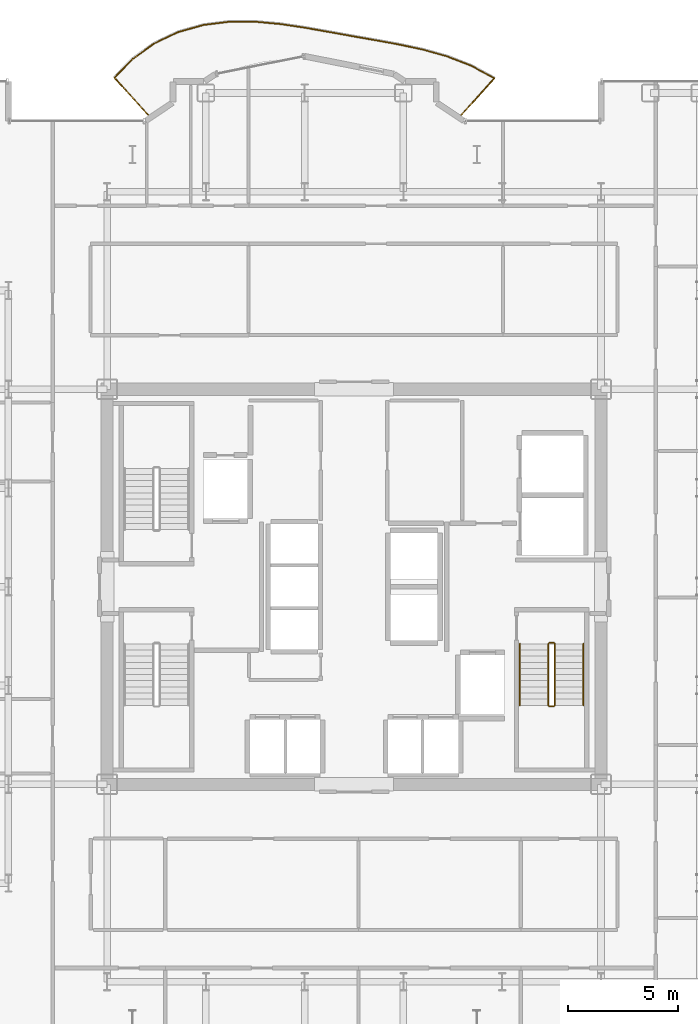
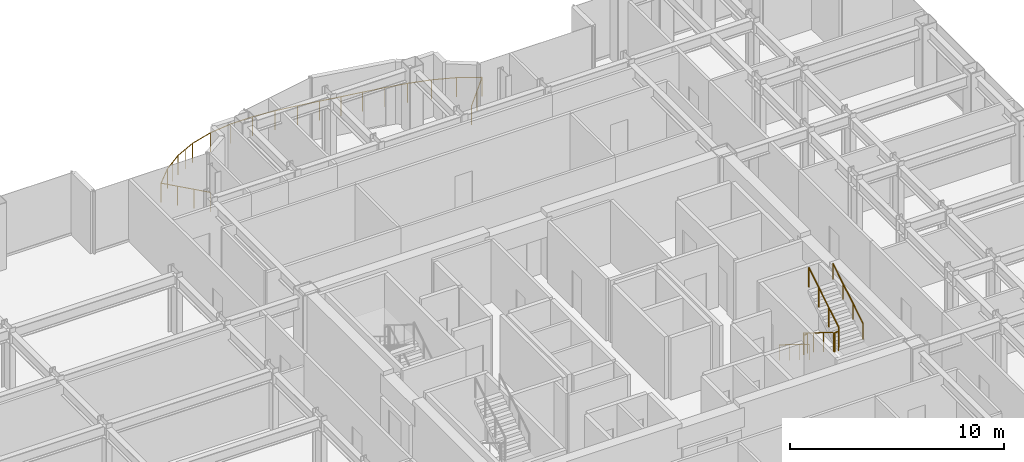
# One storey, part 23 of 23: 7 railings.
"""IFC4 building model written with IfcOpenShell, lengths in metres."""

from ifc_helpers import new_model, si_unit, direction, frame, origin, origin_2d, place, context, subcontext, project, spatial, circle, extrude, material, type_object, element, save


model = new_model("IFC4")

# Units and contexts
model_context = context("Model", 3, precision=1e-05, world=origin(), true_north=direction((0.0, 1.0)))
body_context = subcontext(model_context, "Body", "Model", "MODEL_VIEW")
ifc_project = project(units=[si_unit("LENGTHUNIT", "METRE"), si_unit("AREAUNIT", "SQUARE_METRE"), si_unit("VOLUMEUNIT", "CUBIC_METRE"), si_unit("PLANEANGLEUNIT", "RADIAN"), si_unit("MASSUNIT", "GRAM", prefix="KILO")], contexts=[model_context])

# Site, building, storey
site_placement = place(None, origin())
site = spatial("IfcSite", under=ifc_project, at=site_placement, CompositionType="ELEMENT")
building_placement = place(site_placement, origin())
building = spatial("IfcBuilding", under=site, at=building_placement, Name="Nefas-Gora Pilgrimage Tower", CompositionType="ELEMENT")
storey_placement = place(building_placement, frame((0.0, 0.0, 164.0)))
storey = spatial("IfcBuildingStorey", under=building, at=storey_placement, Name="L40", CompositionType="ELEMENT", Elevation=164.0)

# Railings
ifc_material_1 = material(Name="Laminated safety glass and stainless steel", Category="steel")
railing_type_1 = type_object("IfcRailingType", Name="RLG-BAL-1100", PredefinedType="BALUSTRADE", material=ifc_material_1)
railing_1_placement = place(storey_placement, frame((4.802490234375, 21.402587890625, 0.0)))
element("IfcRailing", 1, at=railing_1_placement, inside=storey, type_object=railing_type_1, Name="L40 Wave Balcony Balustrade N1", PredefinedType="BALUSTRADE", context=body_context, shape_type="SweptSolid", body=[
    extrude(circle(Radius=0.02392578125, at=origin_2d()), frame((0.0, 0.0, 1.09619140625), z_axis=(0.669135077133, 0.74314079995, 0.0), x_axis=(-0.74314079995, 0.669135077133, 0.0)), (0.0, 0.0, 1.0), 2.375244140625),
    extrude(circle(Radius=0.02392578125, at=origin_2d()), frame((1.58935546875, 1.76513671875, 1.09619140625), z_axis=(-0.878083063922, 0.478508236976, 0.0), x_axis=(-0.478508236976, -0.878083063922, 0.0)), (0.0, 0.0, 1.0), 1.19384765625),
    extrude(circle(Radius=0.02392578125, at=origin_2d()), frame((0.541015625, 2.33642578125, 1.09619140625), z_axis=(-0.932264516766, 0.361777377374, 0.0), x_axis=(-0.361777377374, -0.932264516766, 0.0)), (0.0, 0.0, 1.0), 1.18017578125),
    extrude(circle(Radius=0.02392578125, at=origin_2d()), frame((-0.559326171875, 2.763427734375, 1.09619140625), z_axis=(-0.962944291486, 0.269700373552, 0.0), x_axis=(-0.269700373552, -0.962944291486, 0.0)), (0.0, 0.0, 1.0), 1.156982421875),
    extrude(circle(Radius=0.02392578125, at=origin_2d()), frame((-1.67333984375, 3.075439453125, 1.09619140625), z_axis=(-0.978071187114, 0.208270864351, 0.0), x_axis=(-0.208270864351, -0.978071187114, 0.0)), (0.0, 0.0, 1.0), 1.12646484375),
    extrude(circle(Radius=0.02392578125, at=origin_2d()), frame((-2.775146484375, 3.31005859375, 1.09619140625), z_axis=(-0.983987188897, 0.178239199074, 0.0), x_axis=(-0.178239199074, -0.983987188897, 0.0)), (0.0, 0.0, 1.0), 1.09716796875),
    extrude(circle(Radius=0.02392578125, at=origin_2d()), frame((-3.854736328125, 3.505615234375, 1.09619140625), z_axis=(-0.985033351449, 0.172363849265, 0.0), x_axis=(-0.172363849265, -0.985033351449, 0.0)), (0.0, 0.0, 1.0), 1.077880859375),
    extrude(circle(Radius=0.02392578125, at=origin_2d()), frame((-4.91650390625, 3.69140625, 1.09619140625), z_axis=(-0.984191230585, 0.177109067071, 0.0), x_axis=(-0.177109067071, -0.984191230585, 0.0)), (0.0, 0.0, 1.0), 1.07666015625),
    extrude(circle(Radius=0.02392578125, at=origin_2d()), frame((-5.97607421875, 3.882080078125, 1.09619140625), z_axis=(-0.984747561973, 0.173989192737, 0.0), x_axis=(-0.173989192737, -0.984747561973, 0.0)), (0.0, 0.0, 1.0), 1.093017578125),
    extrude(circle(Radius=0.02392578125, at=origin_2d()), frame((-7.052490234375, 4.072265625, 1.09619140625), z_axis=(-0.98891878254, 0.148457541204, 0.0), x_axis=(-0.148457541204, -0.98891878254, 0.0)), (0.0, 0.0, 1.0), 1.12158203125),
    extrude(circle(Radius=0.02392578125, at=origin_2d()), frame((-8.16162109375, 4.23876953125, 1.09619140625), z_axis=(-0.995840939659, 0.091108851926, 0.0), x_axis=(-0.091108851926, -0.995840939659, 0.0)), (0.0, 0.0, 1.0), 1.15234375),
    extrude(circle(Radius=0.02392578125, at=origin_2d()), frame((-9.30908203125, 4.34375, 1.09619140625), z_axis=(-0.999999806466, -0.000622148366, 0.0), x_axis=(0.000622148366, -0.999999806466, 0.0)), (0.0, 0.0, 1.0), 1.17724609375),
    extrude(circle(Radius=0.02392578125, at=origin_2d()), frame((-10.486328125, 4.343017578125, 1.09619140625), z_axis=(-0.992246343829, -0.124286737661, 0.0), x_axis=(0.124286737661, -0.992246343829, 0.0)), (0.0, 0.0, 1.0), 1.1923828125),
    extrude(circle(Radius=0.02392578125, at=origin_2d()), frame((-11.66943359375, 4.19482421875, 1.09619140625), z_axis=(-0.962380056338, -0.271706877282, 0.0), x_axis=(0.271706877282, -0.962380056338, 0.0)), (0.0, 0.0, 1.0), 1.19873046875),
    extrude(circle(Radius=0.02392578125, at=origin_2d()), frame((-12.822998046875, 3.869140625, 1.09619140625), z_axis=(-0.902687538692, -0.430296650568, 0.0), x_axis=(0.430296650568, -0.902687538692, 0.0)), (0.0, 0.0, 1.0), 1.20068359375),
    extrude(circle(Radius=0.02392578125, at=origin_2d()), frame((-13.90673828125, 3.3525390625, 1.09619140625), z_axis=(-0.812274321028, -0.58327560158, 0.0), x_axis=(0.58327560158, -0.812274321028, 0.0)), (0.0, 0.0, 1.0), 1.200439453125),
    extrude(circle(Radius=0.02392578125, at=origin_2d()), frame((-14.8818359375, 2.65234375, 1.09619140625), z_axis=(-0.699126878219, -0.714997628074, 0.0), x_axis=(0.714997628074, -0.699126878219, 0.0)), (0.0, 0.0, 1.0), 1.199951171875),
    extrude(circle(Radius=0.02392578125, at=origin_2d()), frame((-15.720703125, 1.79443359375, 1.09619140625), z_axis=(0.669132296829, -0.743143303368, 0.0), x_axis=(0.743143303368, 0.669132296829, 0.0)), (0.0, 0.0, 1.0), 2.41455078125),
    extrude(circle(Radius=0.02099609375, at=origin_2d()), origin(), (0.0, 0.0, 1.0), 1.072021484375),
    extrude(circle(Radius=0.02099609375, at=origin_2d()), frame((0.794677734375, 0.882568359375, 0.0)), (0.0, 0.0, 1.0), 1.072021484375),
    extrude(circle(Radius=0.02099609375, at=origin_2d()), frame((1.58935546875, 1.76513671875, 0.0)), (0.0, 0.0, 1.0), 1.072021484375),
    extrude(circle(Radius=0.02099609375, at=origin_2d()), frame((0.541015625, 2.33642578125, 0.0)), (0.0, 0.0, 1.0), 1.072021484375),
    extrude(circle(Radius=0.02099609375, at=origin_2d()), frame((-0.559326171875, 2.763427734375, 0.0)), (0.0, 0.0, 1.0), 1.072021484375),
    extrude(circle(Radius=0.02099609375, at=origin_2d()), frame((-1.67333984375, 3.075439453125, 0.0)), (0.0, 0.0, 1.0), 1.072021484375),
    extrude(circle(Radius=0.02099609375, at=origin_2d()), frame((-2.775146484375, 3.31005859375, 0.0)), (0.0, 0.0, 1.0), 1.072021484375),
    extrude(circle(Radius=0.02099609375, at=origin_2d()), frame((-3.854736328125, 3.505615234375, 0.0)), (0.0, 0.0, 1.0), 1.072021484375),
    extrude(circle(Radius=0.02099609375, at=origin_2d()), frame((-4.91650390625, 3.69140625, 0.0)), (0.0, 0.0, 1.0), 1.072021484375),
    extrude(circle(Radius=0.02099609375, at=origin_2d()), frame((-5.97607421875, 3.882080078125, 0.0)), (0.0, 0.0, 1.0), 1.072021484375),
    extrude(circle(Radius=0.02099609375, at=origin_2d()), frame((-7.052490234375, 4.072265625, 0.0)), (0.0, 0.0, 1.0), 1.072021484375),
    extrude(circle(Radius=0.02099609375, at=origin_2d()), frame((-8.16162109375, 4.23876953125, 0.0)), (0.0, 0.0, 1.0), 1.072021484375),
    extrude(circle(Radius=0.02099609375, at=origin_2d()), frame((-9.30908203125, 4.34375, 0.0)), (0.0, 0.0, 1.0), 1.072021484375),
    extrude(circle(Radius=0.02099609375, at=origin_2d()), frame((-10.486328125, 4.343017578125, 0.0)), (0.0, 0.0, 1.0), 1.072021484375),
    extrude(circle(Radius=0.02099609375, at=origin_2d()), frame((-11.66943359375, 4.19482421875, 0.0)), (0.0, 0.0, 1.0), 1.072021484375),
    extrude(circle(Radius=0.02099609375, at=origin_2d()), frame((-12.822998046875, 3.869140625, 0.0)), (0.0, 0.0, 1.0), 1.072021484375),
    extrude(circle(Radius=0.02099609375, at=origin_2d()), frame((-13.36474609375, 3.61083984375, 0.0)), (0.0, 0.0, 1.0), 1.072021484375),
    extrude(circle(Radius=0.02099609375, at=origin_2d()), frame((-13.90673828125, 3.3525390625, 0.0)), (0.0, 0.0, 1.0), 1.072021484375),
    extrude(circle(Radius=0.02099609375, at=origin_2d()), frame((-14.394287109375, 3.00244140625, 0.0)), (0.0, 0.0, 1.0), 1.072021484375),
    extrude(circle(Radius=0.02099609375, at=origin_2d()), frame((-14.8818359375, 2.65234375, 0.0)), (0.0, 0.0, 1.0), 1.072021484375),
    extrude(circle(Radius=0.02099609375, at=origin_2d()), frame((-15.720703125, 1.79443359375, 0.0)), (0.0, 0.0, 1.0), 1.072021484375),
    extrude(circle(Radius=0.02099609375, at=origin_2d()), frame((-15.18212890625, 1.1962890625, 0.0)), (0.0, 0.0, 1.0), 1.072021484375),
    extrude(circle(Radius=0.02099609375, at=origin_2d()), frame((-14.6435546875, 0.59814453125, 0.0)), (0.0, 0.0, 1.0), 1.072021484375),
    extrude(circle(Radius=0.02099609375, at=origin_2d()), frame((-14.10498046875, 0.0, 0.0)), (0.0, 0.0, 1.0), 1.072021484375),
])
ifc_material_2 = material(Name="Painted galvanised steel", Category="steel")
railing_type_2 = type_object("IfcRailingType", Name="RLG-STR-GUARD-1100", PredefinedType="GUARDRAIL", material=ifc_material_2)
railing_2_placement = place(storey_placement, frame((8.85009765625, -2.60009765625, 0.172607421875)))
element("IfcRailing", 2, at=railing_2_placement, inside=storey, type_object=railing_type_2, Name="L40 ST-02 stair guard 1", PredefinedType="GUARDRAIL", context=body_context, shape_type="SweptSolid", body=[
    extrude(circle(Radius=0.02392578125, at=origin_2d()), frame((0.0, 0.0, 1.09619140625), z_axis=(0.0, -0.851069175582, 0.525053576669), x_axis=(1.0, 0.0, 0.0)), (0.0, 0.0, 1.0), 3.289794921875),
    extrude(circle(Radius=0.02099609375, at=origin_2d()), origin(), (0.0, 0.0, 1.0), 1.072021484375),
    extrude(circle(Radius=0.02099609375, at=origin_2d()), frame((0.0, -0.933349609375, 0.57568359375)), (0.0, 0.0, 1.0), 1.072021484375),
    extrude(circle(Radius=0.02099609375, at=origin_2d()), frame((0.0, -1.866455078125, 1.151611328125)), (0.0, 0.0, 1.0), 1.072021484375),
    extrude(circle(Radius=0.02099609375, at=origin_2d()), frame((0.0, -2.7998046875, 1.727294921875)), (0.0, 0.0, 1.0), 1.072021484375),
])
railing_3_placement = place(storey_placement, frame((8.89990234375, -5.449951171875, 1.89990234375)))
element("IfcRailing", 3, at=railing_3_placement, inside=storey, type_object=railing_type_2, Name="L40 ST-02 stair guard 2", PredefinedType="GUARDRAIL", context=body_context, shape_type="SweptSolid", body=[
    extrude(circle(Radius=0.02392578125, at=origin_2d()), frame((0.0, 0.0, 1.09619140625), z_axis=(1.0, 0.0, 0.0), x_axis=(0.0, 1.0, 0.0)), (0.0, 0.0, 1.0), 0.2001953125),
    extrude(circle(Radius=0.02099609375, at=origin_2d()), origin(), (0.0, 0.0, 1.0), 1.072021484375),
    extrude(circle(Radius=0.02099609375, at=origin_2d()), frame((0.2001953125, 0.0, 0.0)), (0.0, 0.0, 1.0), 1.072021484375),
])
railing_4_placement = place(storey_placement, frame((9.14990234375, -5.39990234375, 2.07275390625)))
element("IfcRailing", 4, at=railing_4_placement, inside=storey, type_object=railing_type_2, Name="L40 ST-02 stair guard 3", PredefinedType="GUARDRAIL", context=body_context, shape_type="SweptSolid", body=[
    extrude(circle(Radius=0.02392578125, at=origin_2d()), frame((0.0, 0.0, 1.09619140625), z_axis=(0.0, 0.851069175582, 0.525053576669), x_axis=(-1.0, 0.0, 0.0)), (0.0, 0.0, 1.0), 3.289794921875),
    extrude(circle(Radius=0.02099609375, at=origin_2d()), origin(), (0.0, 0.0, 1.0), 1.072021484375),
    extrude(circle(Radius=0.02099609375, at=origin_2d()), frame((0.0, 0.933349609375, 0.57568359375)), (0.0, 0.0, 1.0), 1.072021484375),
    extrude(circle(Radius=0.02099609375, at=origin_2d()), frame((0.0, 1.866455078125, 1.151611328125)), (0.0, 0.0, 1.0), 1.072021484375),
    extrude(circle(Radius=0.02099609375, at=origin_2d()), frame((0.0, 2.7998046875, 1.727294921875)), (0.0, 0.0, 1.0), 1.072021484375),
])
railing_5_placement = place(storey_placement, frame((8.89990234375, -2.550048828125, 0.0)))
element("IfcRailing", 5, at=railing_5_placement, inside=storey, type_object=railing_type_2, Name="L40 ST-02 stair guard 4", PredefinedType="GUARDRAIL", context=body_context, shape_type="SweptSolid", body=[
    extrude(circle(Radius=0.02392578125, at=origin_2d()), frame((0.0, 0.0, 1.09619140625), z_axis=(1.0, 0.0, 0.0), x_axis=(0.0, 1.0, 0.0)), (0.0, 0.0, 1.0), 0.2001953125),
    extrude(circle(Radius=0.02099609375, at=origin_2d()), origin(), (0.0, 0.0, 1.0), 1.072021484375),
    extrude(circle(Radius=0.02099609375, at=origin_2d()), frame((0.2001953125, 0.0, 0.0)), (0.0, 0.0, 1.0), 1.072021484375),
])
ifc_material_3 = material(Name="Brushed stainless steel", Category="steel")
railing_type_3 = type_object("IfcRailingType", Name="RLG-STR-HAND-900", PredefinedType="HANDRAIL", material=ifc_material_3)
railing_6_placement = place(storey_placement, frame((7.550048828125, -2.60009765625, 0.172607421875)))
element("IfcRailing", 6, at=railing_6_placement, inside=storey, type_object=railing_type_3, Name="L40 ST-02 stair handrail 1", PredefinedType="HANDRAIL", context=body_context, shape_type="SweptSolid", body=[
    extrude(circle(Radius=0.02392578125, at=origin_2d()), frame((0.0, 0.0, 0.8759765625), z_axis=(0.0, -0.851069175582, 0.525053576669), x_axis=(1.0, 0.0, 0.0)), (0.0, 0.0, 1.0), 3.289794921875),
    extrude(circle(Radius=0.02099609375, at=origin_2d()), origin(), (0.0, 0.0, 1.0), 0.851806640625),
    extrude(circle(Radius=0.02099609375, at=origin_2d()), frame((0.0, -0.933349609375, 0.57568359375)), (0.0, 0.0, 1.0), 0.851806640625),
    extrude(circle(Radius=0.02099609375, at=origin_2d()), frame((0.0, -1.866455078125, 1.151611328125)), (0.0, 0.0, 1.0), 0.851806640625),
    extrude(circle(Radius=0.02099609375, at=origin_2d()), frame((0.0, -2.7998046875, 1.727294921875)), (0.0, 0.0, 1.0), 0.851806640625),
])
railing_7_placement = place(storey_placement, frame((10.449951171875, -5.39990234375, 2.07275390625)))
element("IfcRailing", 7, at=railing_7_placement, inside=storey, type_object=railing_type_3, Name="L40 ST-02 stair handrail 2", PredefinedType="HANDRAIL", context=body_context, shape_type="SweptSolid", body=[
    extrude(circle(Radius=0.02392578125, at=origin_2d()), frame((0.0, 0.0, 0.8759765625), z_axis=(0.0, 0.851069175582, 0.525053576669), x_axis=(-1.0, 0.0, 0.0)), (0.0, 0.0, 1.0), 3.289794921875),
    extrude(circle(Radius=0.02099609375, at=origin_2d()), origin(), (0.0, 0.0, 1.0), 0.851806640625),
    extrude(circle(Radius=0.02099609375, at=origin_2d()), frame((0.0, 0.933349609375, 0.57568359375)), (0.0, 0.0, 1.0), 0.851806640625),
    extrude(circle(Radius=0.02099609375, at=origin_2d()), frame((0.0, 1.866455078125, 1.151611328125)), (0.0, 0.0, 1.0), 0.851806640625),
    extrude(circle(Radius=0.02099609375, at=origin_2d()), frame((0.0, 2.7998046875, 1.727294921875)), (0.0, 0.0, 1.0), 0.851806640625),
])

save(model, "model.ifc")
